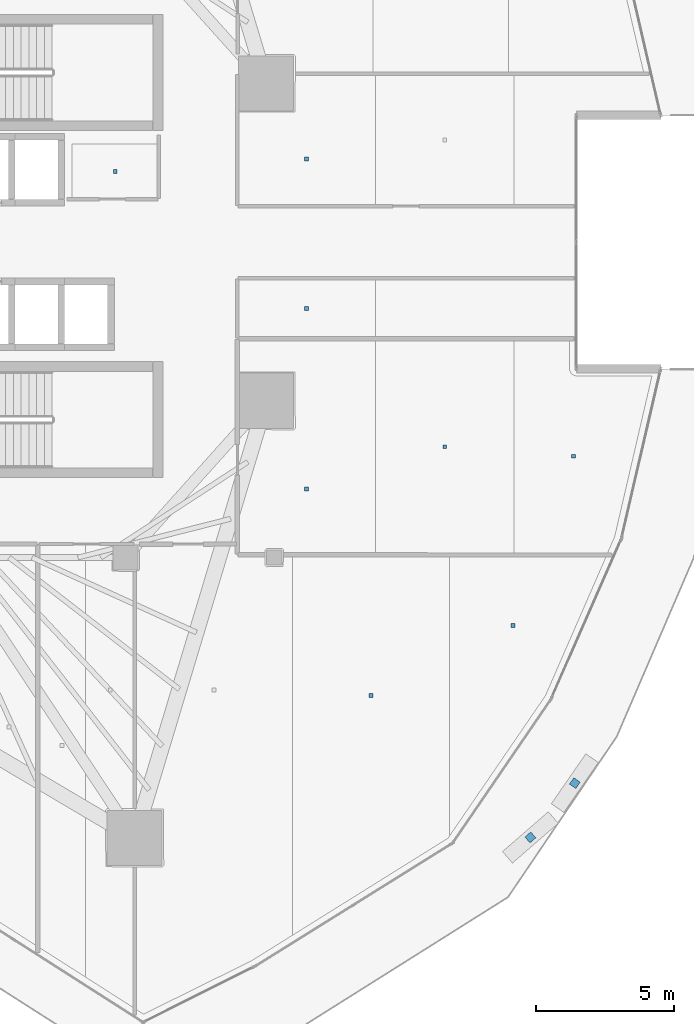
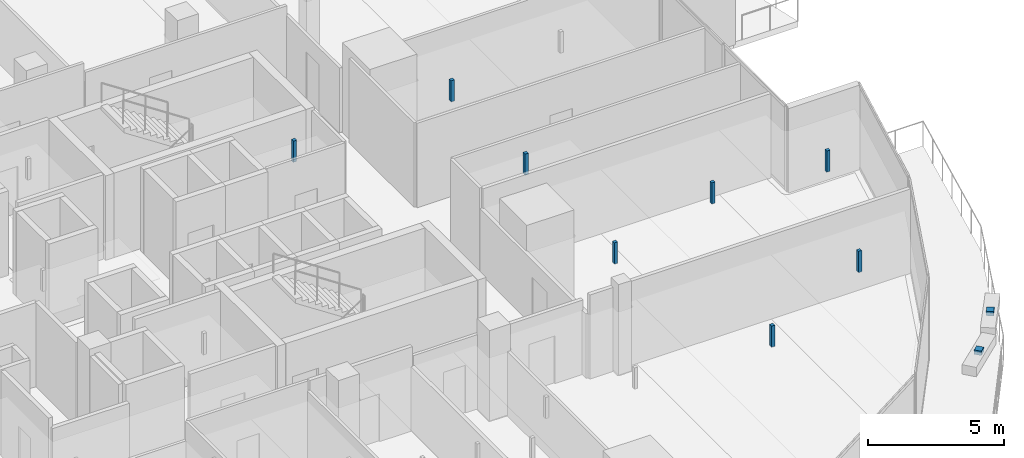
# One storey, part 29 of 37: 10 discrete accessories.
"""IFC4 building model written with IfcOpenShell, lengths in metres."""

from ifc_helpers import new_model, si_unit, direction, frame, origin, origin_2d, place, context, subcontext, project, spatial, rectangle, extrude, material, type_object, element, save


model = new_model("IFC4")

# Units and contexts
model_context = context("Model", 3, precision=1e-05, world=origin(), true_north=direction((0.0, 1.0)))
body_context = subcontext(model_context, "Body", "Model", "MODEL_VIEW")
ifc_project = project(units=[si_unit("LENGTHUNIT", "METRE"), si_unit("AREAUNIT", "SQUARE_METRE"), si_unit("VOLUMEUNIT", "CUBIC_METRE"), si_unit("PLANEANGLEUNIT", "RADIAN"), si_unit("MASSUNIT", "GRAM", prefix="KILO")], contexts=[model_context])

# Site, building, storey
site_placement = place(None, origin())
site = spatial("IfcSite", under=ifc_project, at=site_placement, CompositionType="ELEMENT")
building_placement = place(site_placement, origin())
building = spatial("IfcBuilding", under=site, at=building_placement, Name="Qorvath Tower", CompositionType="ELEMENT")
storey_placement = place(building_placement, frame((0.0, 0.0, 184.800048828125)))
storey = spatial("IfcBuildingStorey", under=building, at=storey_placement, Name="L42", CompositionType="ELEMENT", Elevation=184.800048828125)

# Discrete accessories
ifc_material = material(Name="Galvanised steel bracket", Category="steel")
discrete_accessory_type = type_object("IfcDiscreteAccessoryType", Name="DA-BRACKET", PredefinedType="BRACKET", material=ifc_material)
for number, where, z_axis, x_axis, name in (
    (1, (-2.505859375, -21.6083984375, 3.64013671875), (0.0, 0.0, 1.0), (0.754905348279, 0.655833755718, 0.0), "Louvre Wave Support Bracket L42-03"),
    (2, (-0.892822265625, -19.6376953125, 3.64013671875), (0.0, 0.0, 1.0), (0.56840677655, 0.82274767479, 0.0), "Louvre Wave Support Bracket L42-04"),
):
    element("IfcDiscreteAccessory", number, at=place(storey_placement, frame(where, z_axis=z_axis, x_axis=x_axis)), inside=storey, type_object=discrete_accessory_type, Name=name, PredefinedType="NOTDEFINED", context=body_context, shape_type="SweptSolid", body=[
        extrude(rectangle(XDim=0.280029296875, YDim=0.280029296875, at=origin_2d()), origin(), (0.0, 0.0, 1.0), 0.199951171875),
    ])
for number, where, z_axis, x_axis, name in (
    (3, (-17.572509765625, 2.5625, 2.85986328125), (0.0, 0.0, 1.0), (1.0, 0.0, 0.0), "Acoustic Ceiling Suspension Hanger T1-L42-003"),
    (4, (-8.290771484375, -16.456787109375, 2.85986328125), (0.0, 0.0, 1.0), (1.0, 0.0, 0.0), "Acoustic Ceiling Suspension Hanger T1-L42-025"),
    (5, (-3.14306640625, -13.914306640625, 2.85986328125), (0.0, 0.0, 1.0), (1.0, 0.0, 0.0), "Acoustic Ceiling Suspension Hanger T1-L42-026"),
    (6, (-10.62939453125, -8.966552734375, 2.85986328125), (0.0, 0.0, 1.0), (1.0, 0.0, 0.0), "Acoustic Ceiling Suspension Hanger T1-L42-027"),
    (7, (-5.614501953125, -7.428466796875, 2.85986328125), (0.0, 0.0, 1.0), (1.0, 0.0, 0.0), "Acoustic Ceiling Suspension Hanger T1-L42-028"),
    (8, (-0.938232421875, -7.775390625, 2.85986328125), (0.0, 0.0, 1.0), (1.0, 0.0, 0.0), "Acoustic Ceiling Suspension Hanger T1-L42-029"),
    (9, (-10.62939453125, 3.013671875, 2.85986328125), (0.0, 0.0, 1.0), (1.0, 0.0, 0.0), "Acoustic Ceiling Suspension Hanger T1-L42-030"),
    (10, (-10.62939453125, -2.405029296875, 2.85986328125), (0.0, 0.0, 1.0), (1.0, 0.0, 0.0), "Acoustic Ceiling Suspension Hanger T1-L42-031"),
):
    element("IfcDiscreteAccessory", number, at=place(storey_placement, frame(where, z_axis=z_axis, x_axis=x_axis)), inside=storey, type_object=discrete_accessory_type, Name=name, PredefinedType="NOTDEFINED", context=body_context, shape_type="SweptSolid", body=[
        extrude(rectangle(XDim=0.139892578125, YDim=0.139892578125, at=origin_2d()), origin(), (0.0, 0.0, 1.0), 0.9501953125),
    ])

save(model, "model.ifc")
